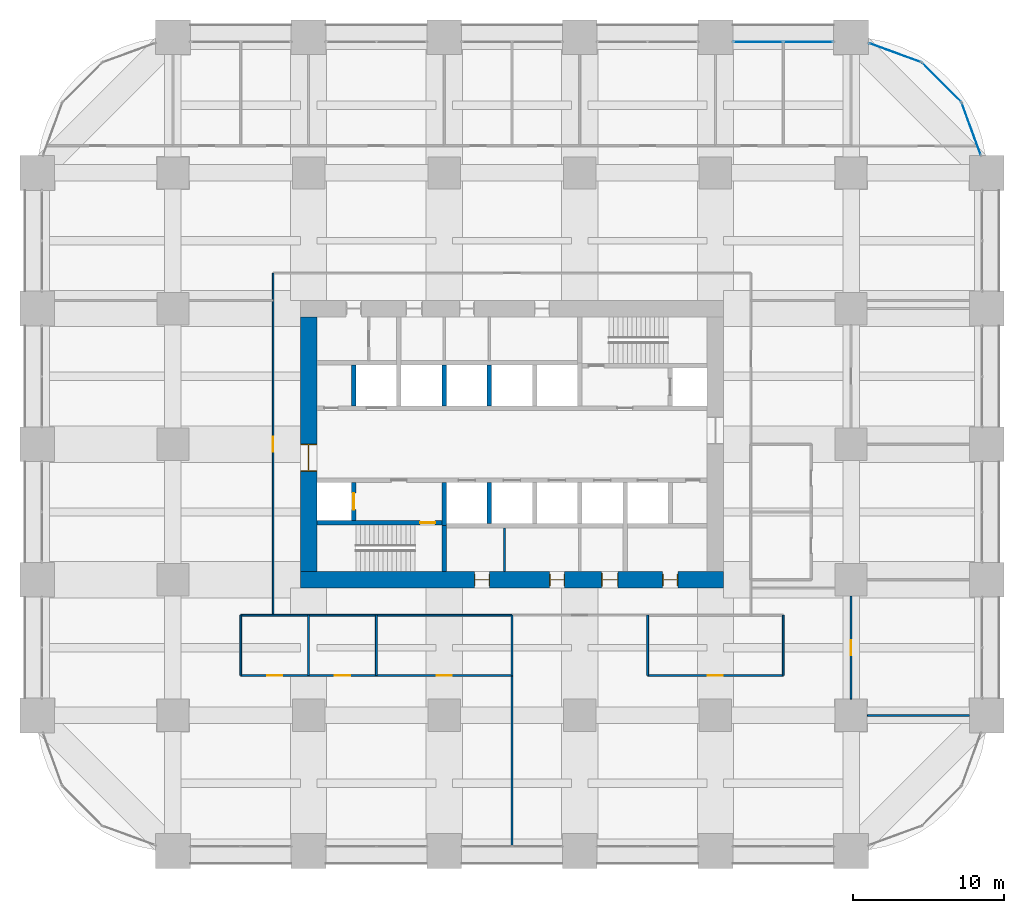
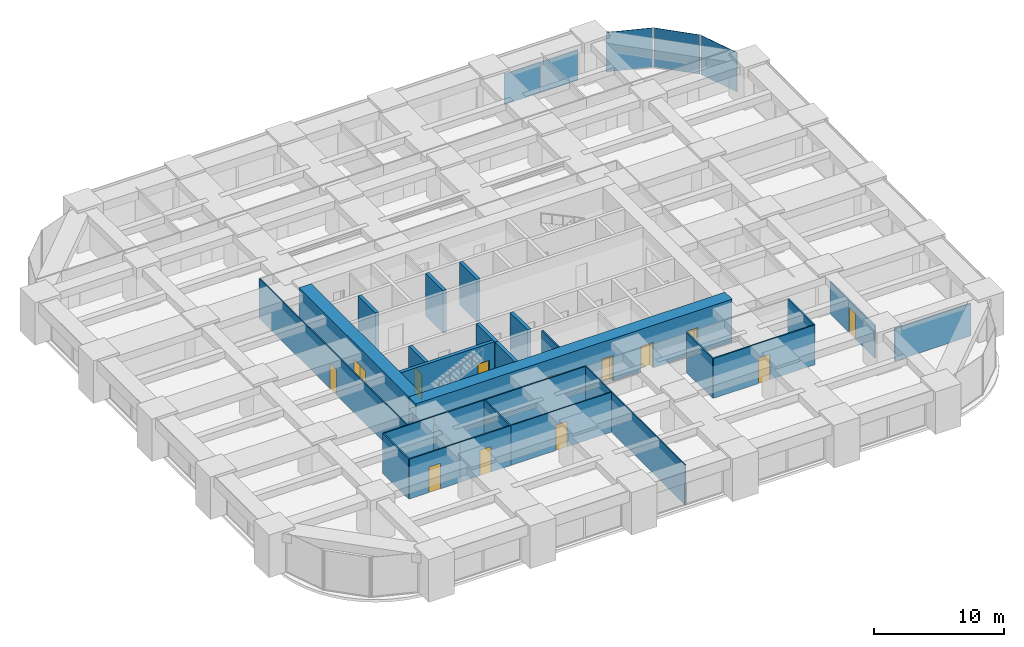
# One storey, part 39 of 43: 28 walls, 13 doors, 5 plates, 13 openings, 4 elements without a shape of their own.
"""IFC4 building model written with IfcOpenShell, lengths in metres."""

from ifc_helpers import new_model, si_unit, direction, frame, frame_2d, origin, origin_2d, place, context, subcontext, project, spatial, rectangle, extrude, material, layer, layer_set, type_object, element, fill, aggregate, save


model = new_model("IFC4")

# Units and contexts
model_context = context("Model", 3, precision=1e-05, world=origin(), true_north=direction((0.0, 1.0)))
body_context = subcontext(model_context, "Body", "Model", "MODEL_VIEW")
ifc_project = project(units=[si_unit("LENGTHUNIT", "METRE"), si_unit("AREAUNIT", "SQUARE_METRE"), si_unit("VOLUMEUNIT", "CUBIC_METRE"), si_unit("PLANEANGLEUNIT", "RADIAN"), si_unit("MASSUNIT", "GRAM", prefix="KILO")], contexts=[model_context])

# Site, building, storey
site_placement = place(None, origin())
site = spatial("IfcSite", under=ifc_project, at=site_placement, CompositionType="ELEMENT")
building_placement = place(site_placement, origin())
building = spatial("IfcBuilding", under=site, at=building_placement, Name="Zorevar Civic Tower", CompositionType="ELEMENT")
storey_placement = place(building_placement, frame((0.0, 0.0, 67.800048828125)))
storey = spatial("IfcBuildingStorey", under=building, at=storey_placement, Name="L16", CompositionType="ELEMENT", Elevation=67.800048828125)

# Curtain wall, plates
ifc_material_1 = material(Name="Dark grey solar-control glass in black aluminium frame", Category="aluminium")
curtain_wall_type = type_object("IfcCurtainWallType", Name="Curtain wall CW2 low zone", PredefinedType="NOTDEFINED", material=ifc_material_1)
curtain_wall_1_placement = place(storey_placement, origin())
curtain_wall_1 = element("IfcCurtainWall", 1, at=curtain_wall_1_placement, inside=storey, type_object=curtain_wall_type, Name="CW2 L16", PredefinedType="NOTDEFINED")
ifc_material_2 = material(Name="Dark grey solar-control glass", Category="glass")
ifc_layer_1 = layer(ifc_material_2, 0.031982421875)
ifc_layer_set_1 = layer_set([ifc_layer_1], Name="CW2 panel 32")
plate_type = type_object("IfcPlateType", Name="CW2 panel 32", PredefinedType="CURTAIN_PANEL", material=ifc_layer_set_1)
plate_1_placement = place(storey_placement, frame((47.840087890625, 53.699951171875, 0.06005859375), z_axis=(0.0, 0.0, 1.0), x_axis=(1.0, 0.0, 0.0)))
plate_1 = element("IfcPlate", 2, at=plate_1_placement, type_object=plate_type, Name="CW2 panel 1.1", PredefinedType="CURTAIN_PANEL", context=body_context, shape_type="SweptSolid", body=[
    extrude(rectangle(XDim=3.260009765625, YDim=0.031982421875, at=origin_2d()), origin(), (0.0, 0.0, 1.0), 2.889892578125),
])
plate_2_placement = place(storey_placement, frame((51.159912109375, 53.699951171875, 0.06005859375), z_axis=(0.0, 0.0, 1.0), x_axis=(1.0, 0.0, 0.0)))
plate_2 = element("IfcPlate", 3, at=plate_2_placement, type_object=plate_type, Name="CW2 panel 2.1", PredefinedType="CURTAIN_PANEL", context=body_context, shape_type="SweptSolid", body=[
    extrude(rectangle(XDim=3.260009765625, YDim=0.031982421875, at=origin_2d()), origin(), (0.0, 0.0, 1.0), 2.889892578125),
])
aggregate(curtain_wall_1, [plate_1, plate_2])

# Curtain wall, plate
curtain_wall_2_placement = place(storey_placement, origin())
curtain_wall_2 = element("IfcCurtainWall", 4, at=curtain_wall_2_placement, inside=storey, type_object=curtain_wall_type, Name="CW2 L16", PredefinedType="NOTDEFINED")
plate_3_placement = place(storey_placement, frame((61.979248046875, 47.914306640625, 0.06005859375), z_axis=(0.0, 0.0, 1.0), x_axis=(-0.343060400701, 0.939313345732, 0.0)))
plate_3 = element("IfcPlate", 5, at=plate_3_placement, type_object=plate_type, Name="CW2 panel 1.1", PredefinedType="CURTAIN_PANEL", context=body_context, shape_type="SweptSolid", body=[
    extrude(rectangle(XDim=3.636474609375, YDim=0.031982421875, at=origin_2d()), origin(), (0.0, 0.0, 1.0), 3.68994140625),
])
aggregate(curtain_wall_2, [plate_3])

curtain_wall_3_placement = place(storey_placement, origin())
curtain_wall_3 = element("IfcCurtainWall", 6, at=curtain_wall_3_placement, inside=storey, type_object=curtain_wall_type, Name="CW2 L16", PredefinedType="NOTDEFINED")
plate_4_placement = place(storey_placement, frame((60.0068359375, 51.0068359375, 0.06005859375), z_axis=(0.0, 0.0, 1.0), x_axis=(-0.707106781187, 0.707106781187, 0.0)))
plate_4 = element("IfcPlate", 7, at=plate_4_placement, type_object=plate_type, Name="CW2 panel 1.1", PredefinedType="CURTAIN_PANEL", context=body_context, shape_type="SweptSolid", body=[
    extrude(rectangle(XDim=3.636474609375, YDim=0.031982421875, at=origin_2d()), origin(), (0.0, 0.0, 1.0), 3.68994140625),
])
aggregate(curtain_wall_3, [plate_4])

curtain_wall_4_placement = place(storey_placement, origin())
curtain_wall_4 = element("IfcCurtainWall", 8, at=curtain_wall_4_placement, inside=storey, type_object=curtain_wall_type, Name="CW2 L16", PredefinedType="NOTDEFINED")
plate_5_placement = place(storey_placement, frame((56.914306640625, 52.979248046875, 0.06005859375), z_axis=(0.0, 0.0, 1.0), x_axis=(-0.939313345732, 0.343060400701, 0.0)))
plate_5 = element("IfcPlate", 9, at=plate_5_placement, type_object=plate_type, Name="CW2 panel 1.1", PredefinedType="CURTAIN_PANEL", context=body_context, shape_type="SweptSolid", body=[
    extrude(rectangle(XDim=3.636474609375, YDim=0.031982421875, at=origin_2d()), origin(), (0.0, 0.0, 1.0), 3.68994140625),
])
aggregate(curtain_wall_4, [plate_5])

# Wall, openings, doors
ifc_material_3 = material(Name="Concrete C50/60", Category="concrete")
ifc_layer_2 = layer(ifc_material_3, 1.10009765625)
ifc_layer_set_2 = layer_set([ifc_layer_2], Name="Core wall 1100")
wall_type_1 = type_object("IfcWallType", Name="Core wall 1100", PredefinedType="SHEAR", material=ifc_layer_set_2)
wall_1_placement = place(storey_placement, frame((17.449951171875, 18.0, 0.0), z_axis=(0.0, 0.0, 1.0), x_axis=(1.0, 0.0, 0.0)))
wall_1 = element("IfcWall", 10, at=wall_1_placement, inside=storey, type_object=wall_type_1, Name="Core wall S L16", PredefinedType="SHEAR", context=body_context, shape_type="SweptSolid", body=[
    extrude(rectangle(XDim=28.10009765625, YDim=1.10009765625, at=frame_2d((14.050048828125, 0.0))), origin(), (0.0, 0.0, 1.0), 4.0),
])
opening_1_placement = place(wall_1_placement, frame((11.550048828125, 0.0, 0.0)))
opening_1 = element("IfcOpeningElement", 11, at=opening_1_placement, cuts=wall_1, Name="Opening L16.03", PredefinedType="OPENING", context=body_context, shape_type="SweptSolid", body=[
    extrude(rectangle(XDim=1.0, YDim=2.39990234375, at=frame_2d((0.5, 1.199951171875))), frame((0.0, 0.56005859375, 0.0), z_axis=(0.0, -1.0, 0.0), x_axis=(1.0, 0.0, 0.0)), (0.0, 0.0, 1.0), 1.1201171875),
])
opening_2_placement = place(wall_1_placement, frame((16.550048828125, 0.0, 0.0)))
opening_2 = element("IfcOpeningElement", 12, at=opening_2_placement, cuts=wall_1, Name="Opening L16.04", PredefinedType="OPENING", context=body_context, shape_type="SweptSolid", body=[
    extrude(rectangle(XDim=1.0, YDim=2.39990234375, at=frame_2d((0.5, 1.199951171875))), frame((0.0, 0.56005859375, 0.0), z_axis=(0.0, -1.0, 0.0), x_axis=(1.0, 0.0, 0.0)), (0.0, 0.0, 1.0), 1.1201171875),
])
opening_3_placement = place(wall_1_placement, frame((20.0, 0.0, 0.0)))
opening_3 = element("IfcOpeningElement", 13, at=opening_3_placement, cuts=wall_1, Name="Opening L16.05", PredefinedType="OPENING", context=body_context, shape_type="SweptSolid", body=[
    extrude(rectangle(XDim=1.10009765625, YDim=2.39990234375, at=frame_2d((0.550048828125, 1.199951171875))), frame((0.0, 0.56005859375, 0.0), z_axis=(0.0, -1.0, 0.0), x_axis=(1.0, 0.0, 0.0)), (0.0, 0.0, 1.0), 1.1201171875),
])
opening_4_placement = place(wall_1_placement, frame((24.050048828125, 0.0, 0.0)))
opening_4 = element("IfcOpeningElement", 14, at=opening_4_placement, cuts=wall_1, Name="Opening L16.06", PredefinedType="OPENING", context=body_context, shape_type="SweptSolid", body=[
    extrude(rectangle(XDim=1.0, YDim=2.39990234375, at=frame_2d((0.5, 1.199951171875))), frame((0.0, 0.56005859375, 0.0), z_axis=(0.0, -1.0, 0.0), x_axis=(1.0, 0.0, 0.0)), (0.0, 0.0, 1.0), 1.1201171875),
])
ifc_material_4 = material(Name="Timber door set", Category="wood")
door_type_1 = type_object("IfcDoorType", Name="Door D1 1000x2400", OperationType="SINGLE_SWING_LEFT", PredefinedType="DOOR", material=ifc_material_4)
door_1_placement = place(opening_1_placement, origin())
door_1 = element("IfcDoor", 15, at=door_1_placement, inside=storey, type_object=door_type_1, Name="Door L16 02", OperationType="SINGLE_SWING_RIGHT", OverallHeight=2.39990234375, OverallWidth=1.0, PredefinedType="DOOR", context=body_context, shape_type="SweptSolid", body=[
    extrude(rectangle(XDim=1.0, YDim=2.39990234375, at=frame_2d((0.5, 1.199951171875))), frame((0.0, 0.02490234375, 0.0), z_axis=(0.0, -1.0, 0.0), x_axis=(1.0, 0.0, 0.0)), (0.0, 0.0, 1.0), 0.050048828125),
    extrude(rectangle(XDim=0.04, YDim=2.39990234375, at=frame_2d((0.02001953125, 1.199951171875))), frame((0.0, 0.39990234375, 0.0), z_axis=(0.0, -1.0, 0.0), x_axis=(1.0, 0.0, 0.0)), (0.0, 0.0, 1.0), 0.800048828125),
    extrude(rectangle(XDim=0.04, YDim=2.39990234375, at=frame_2d((0.97998046875, 1.199951171875))), frame((0.0, 0.39990234375, 0.0), z_axis=(0.0, -1.0, 0.0), x_axis=(1.0, 0.0, 0.0)), (0.0, 0.0, 1.0), 0.800048828125),
    extrude(rectangle(XDim=1.0, YDim=0.04, at=frame_2d((0.5, 2.3798828125))), frame((0.0, 0.39990234375, 0.0), z_axis=(0.0, -1.0, 0.0), x_axis=(1.0, 0.0, 0.0)), (0.0, 0.0, 1.0), 0.800048828125),
])
fill(opening_1, door_1)
door_2_placement = place(opening_2_placement, origin())
door_2 = element("IfcDoor", 16, at=door_2_placement, inside=storey, type_object=door_type_1, Name="Door L16 03", OperationType="SINGLE_SWING_LEFT", OverallHeight=2.39990234375, OverallWidth=1.0, PredefinedType="DOOR", context=body_context, shape_type="SweptSolid", body=[
    extrude(rectangle(XDim=1.0, YDim=2.39990234375, at=frame_2d((0.5, 1.199951171875))), frame((0.0, 0.02490234375, 0.0), z_axis=(0.0, -1.0, 0.0), x_axis=(1.0, 0.0, 0.0)), (0.0, 0.0, 1.0), 0.050048828125),
    extrude(rectangle(XDim=0.04, YDim=2.39990234375, at=frame_2d((0.02001953125, 1.199951171875))), frame((0.0, 0.39990234375, 0.0), z_axis=(0.0, -1.0, 0.0), x_axis=(1.0, 0.0, 0.0)), (0.0, 0.0, 1.0), 0.800048828125),
    extrude(rectangle(XDim=0.04, YDim=2.39990234375, at=frame_2d((0.97998046875, 1.199951171875))), frame((0.0, 0.39990234375, 0.0), z_axis=(0.0, -1.0, 0.0), x_axis=(1.0, 0.0, 0.0)), (0.0, 0.0, 1.0), 0.800048828125),
    extrude(rectangle(XDim=1.0, YDim=0.04, at=frame_2d((0.5, 2.3798828125))), frame((0.0, 0.39990234375, 0.0), z_axis=(0.0, -1.0, 0.0), x_axis=(1.0, 0.0, 0.0)), (0.0, 0.0, 1.0), 0.800048828125),
])
fill(opening_2, door_2)
door_3_placement = place(opening_4_placement, origin())
door_3 = element("IfcDoor", 17, at=door_3_placement, inside=storey, type_object=door_type_1, Name="Door L16 05", OperationType="SINGLE_SWING_LEFT", OverallHeight=2.39990234375, OverallWidth=1.0, PredefinedType="DOOR", context=body_context, shape_type="SweptSolid", body=[
    extrude(rectangle(XDim=1.0, YDim=2.39990234375, at=frame_2d((0.5, 1.199951171875))), frame((0.0, 0.02490234375, 0.0), z_axis=(0.0, -1.0, 0.0), x_axis=(1.0, 0.0, 0.0)), (0.0, 0.0, 1.0), 0.050048828125),
    extrude(rectangle(XDim=0.04, YDim=2.39990234375, at=frame_2d((0.02001953125, 1.199951171875))), frame((0.0, 0.39990234375, 0.0), z_axis=(0.0, -1.0, 0.0), x_axis=(1.0, 0.0, 0.0)), (0.0, 0.0, 1.0), 0.800048828125),
    extrude(rectangle(XDim=0.04, YDim=2.39990234375, at=frame_2d((0.97998046875, 1.199951171875))), frame((0.0, 0.39990234375, 0.0), z_axis=(0.0, -1.0, 0.0), x_axis=(1.0, 0.0, 0.0)), (0.0, 0.0, 1.0), 0.800048828125),
    extrude(rectangle(XDim=1.0, YDim=0.04, at=frame_2d((0.5, 2.3798828125))), frame((0.0, 0.39990234375, 0.0), z_axis=(0.0, -1.0, 0.0), x_axis=(1.0, 0.0, 0.0)), (0.0, 0.0, 1.0), 0.800048828125),
])
fill(opening_4, door_3)
ifc_material_5 = material(Name="Timber door set", Category="wood")
door_type_2 = type_object("IfcDoorType", Name="Door D5 1100x2400", OperationType="SINGLE_SWING_LEFT", PredefinedType="DOOR", material=ifc_material_5)
door_4_placement = place(opening_3_placement, origin())
door_4 = element("IfcDoor", 18, at=door_4_placement, inside=storey, type_object=door_type_2, Name="Door L16 04", OperationType="SINGLE_SWING_LEFT", OverallHeight=2.39990234375, OverallWidth=1.10009765625, PredefinedType="DOOR", context=body_context, shape_type="SweptSolid", body=[
    extrude(rectangle(XDim=1.10009765625, YDim=2.39990234375, at=frame_2d((0.550048828125, 1.199951171875))), frame((0.0, 0.02490234375, 0.0), z_axis=(0.0, -1.0, 0.0), x_axis=(1.0, 0.0, 0.0)), (0.0, 0.0, 1.0), 0.050048828125),
    extrude(rectangle(XDim=0.04, YDim=2.39990234375, at=frame_2d((0.02001953125, 1.199951171875))), frame((0.0, 0.43994140625, 0.0), z_axis=(0.0, -1.0, 0.0), x_axis=(1.0, 0.0, 0.0)), (0.0, 0.0, 1.0), 0.880126953125),
    extrude(rectangle(XDim=0.04, YDim=2.39990234375, at=frame_2d((1.080078125, 1.199951171875))), frame((0.0, 0.43994140625, 0.0), z_axis=(0.0, -1.0, 0.0), x_axis=(1.0, 0.0, 0.0)), (0.0, 0.0, 1.0), 0.880126953125),
    extrude(rectangle(XDim=1.10009765625, YDim=0.04, at=frame_2d((0.550048828125, 2.3798828125))), frame((0.0, 0.43994140625, 0.0), z_axis=(0.0, -1.0, 0.0), x_axis=(1.0, 0.0, 0.0)), (0.0, 0.0, 1.0), 0.880126953125),
])
fill(opening_3, door_4)

# Wall, opening, door
wall_2_placement = place(storey_placement, frame((18.0, 35.449951171875, 0.0), z_axis=(0.0, 0.0, 1.0), x_axis=(0.0, -1.0, 0.0)))
wall_2 = element("IfcWall", 19, at=wall_2_placement, inside=storey, type_object=wall_type_1, Name="Core wall W L16", PredefinedType="SHEAR", context=body_context, shape_type="SweptSolid", body=[
    extrude(rectangle(XDim=16.89990234375, YDim=1.10009765625, at=frame_2d((8.449951171875, 0.0))), origin(), (0.0, 0.0, 1.0), 4.0),
])
opening_5_placement = place(wall_2_placement, frame((8.449951171875, 0.0, 0.0)))
opening_5 = element("IfcOpeningElement", 20, at=opening_5_placement, cuts=wall_2, Name="Opening L16.01", PredefinedType="OPENING", context=body_context, shape_type="SweptSolid", body=[
    extrude(rectangle(XDim=1.800048828125, YDim=2.39990234375, at=frame_2d((0.89990234375, 1.199951171875))), frame((0.0, 0.56005859375, 0.0), z_axis=(0.0, -1.0, 0.0), x_axis=(1.0, 0.0, 0.0)), (0.0, 0.0, 1.0), 1.1201171875),
])
ifc_material_6 = material(Name="Steel door set", Category="steel")
door_type_3 = type_object("IfcDoorType", Name="Fire door FD2 1800x2400", OperationType="DOUBLE_DOOR_DOUBLE_SWING", PredefinedType="DOOR", material=ifc_material_6)
door_5_placement = place(opening_5_placement, origin())
door_5 = element("IfcDoor", 21, at=door_5_placement, inside=storey, type_object=door_type_3, Name="Door L16 00", OperationType="DOUBLE_DOOR_DOUBLE_SWING", OverallHeight=2.39990234375, OverallWidth=1.800048828125, PredefinedType="DOOR", context=body_context, shape_type="SweptSolid", body=[
    extrude(rectangle(XDim=1.800048828125, YDim=2.39990234375, at=frame_2d((0.89990234375, 1.199951171875))), frame((0.0, 0.030029296875, 0.0), z_axis=(0.0, -1.0, 0.0), x_axis=(1.0, 0.0, 0.0)), (0.0, 0.0, 1.0), 0.06005859375),
    extrude(rectangle(XDim=0.04, YDim=2.39990234375, at=frame_2d((0.02001953125, 1.199951171875))), frame((0.0, 0.5498046875, 0.0), z_axis=(0.0, -1.0, 0.0), x_axis=(1.0, 0.0, 0.0)), (0.0, 0.0, 1.0), 1.099609375),
    extrude(rectangle(XDim=0.04, YDim=2.39990234375, at=frame_2d((1.780029296875, 1.199951171875))), frame((0.0, 0.5498046875, 0.0), z_axis=(0.0, -1.0, 0.0), x_axis=(1.0, 0.0, 0.0)), (0.0, 0.0, 1.0), 1.099609375),
    extrude(rectangle(XDim=1.800048828125, YDim=0.04, at=frame_2d((0.89990234375, 2.3798828125))), frame((0.0, 0.5498046875, 0.0), z_axis=(0.0, -1.0, 0.0), x_axis=(1.0, 0.0, 0.0)), (0.0, 0.0, 1.0), 1.099609375),
])
fill(opening_5, door_5)

ifc_material_7 = material(Name="Laminated glass in black aluminium frame", Category="aluminium")
ifc_layer_3 = layer(ifc_material_7, 0.10009765625)
ifc_layer_set_3 = layer_set([ifc_layer_3], Name="Glazed partition 100")
wall_type_2 = type_object("IfcWallType", Name="Glazed partition 100", PredefinedType="PARTITIONING", material=ifc_layer_set_3)
wall_3_placement = place(storey_placement, frame((22.5, 11.64990234375, 0.0), z_axis=(0.0, 0.0, 1.0), x_axis=(1.0, 0.0, 0.0)))
wall_3 = element("IfcWall", 22, at=wall_3_placement, inside=storey, type_object=wall_type_2, Name="Glazed partition 100 L16", PredefinedType="PARTITIONING", context=body_context, shape_type="SweptSolid", body=[
    extrude(rectangle(XDim=9.0, YDim=0.10009765625, at=frame_2d((4.5, 0.0))), origin(), (0.0, 0.0, 1.0), 3.75),
])
opening_6_placement = place(wall_3_placement, frame((4.0, 0.0, 0.0)))
opening_6 = element("IfcOpeningElement", 23, at=opening_6_placement, cuts=wall_3, Name="Opening L16.20", PredefinedType="OPENING", context=body_context, shape_type="SweptSolid", body=[
    extrude(rectangle(XDim=1.0, YDim=2.39990234375, at=frame_2d((0.5, 1.199951171875))), frame((0.0, 0.06005859375, 0.0), z_axis=(0.0, -1.0, 0.0), x_axis=(1.0, 0.0, 0.0)), (0.0, 0.0, 1.0), 0.1201171875),
])
ifc_material_8 = material(Name="Timber door set", Category="wood")
door_type_4 = type_object("IfcDoorType", Name="Glazed door GD1 1000x2400", OperationType="SINGLE_SWING_LEFT", PredefinedType="DOOR", material=ifc_material_8)
door_6_placement = place(opening_6_placement, origin())
door_6 = element("IfcDoor", 24, at=door_6_placement, inside=storey, type_object=door_type_4, Name="Door L16 D1", OperationType="SINGLE_SWING_RIGHT", OverallHeight=2.39990234375, OverallWidth=1.0, PredefinedType="DOOR", context=body_context, shape_type="SweptSolid", body=[
    extrude(rectangle(XDim=1.0, YDim=2.39990234375, at=frame_2d((0.5, 1.199951171875))), frame((0.0, 0.02001953125, 0.0), z_axis=(0.0, -1.0, 0.0), x_axis=(1.0, 0.0, 0.0)), (0.0, 0.0, 1.0), 0.0400390625),
])
fill(opening_6, door_6)

wall_4_placement = place(storey_placement, frame((15.64990234375, 15.64990234375, 0.0), z_axis=(0.0, 0.0, 1.0), x_axis=(0.0, 1.0, 0.0)))
wall_4 = element("IfcWall", 25, at=wall_4_placement, inside=storey, type_object=wall_type_2, Name="Glazed partition 100 L16", PredefinedType="PARTITIONING", context=body_context, shape_type="SweptSolid", body=[
    extrude(rectangle(XDim=22.7001953125, YDim=0.10009765625, at=frame_2d((11.35009765625, 0.0))), origin(), (0.0, 0.0, 1.0), 3.75),
])
opening_7_placement = place(wall_4_placement, frame((10.85009765625, 0.0, 0.0)))
opening_7 = element("IfcOpeningElement", 26, at=opening_7_placement, cuts=wall_4, Name="Opening L16.33", PredefinedType="OPENING", context=body_context, shape_type="SweptSolid", body=[
    extrude(rectangle(XDim=1.0, YDim=2.39990234375, at=frame_2d((0.5, 1.199951171875))), frame((0.0, 0.06005859375, 0.0), z_axis=(0.0, -1.0, 0.0), x_axis=(1.0, 0.0, 0.0)), (0.0, 0.0, 1.0), 0.1201171875),
])
door_7_placement = place(opening_7_placement, origin())
door_7 = element("IfcDoor", 27, at=door_7_placement, inside=storey, type_object=door_type_4, Name="Door L16 D1", OperationType="SINGLE_SWING_LEFT", OverallHeight=2.39990234375, OverallWidth=1.0, PredefinedType="DOOR", context=body_context, shape_type="SweptSolid", body=[
    extrude(rectangle(XDim=1.0, YDim=2.39990234375, at=frame_2d((0.5, 1.199951171875))), frame((0.0, 0.02001953125, 0.0), z_axis=(0.0, -1.0, 0.0), x_axis=(1.0, 0.0, 0.0)), (0.0, 0.0, 1.0), 0.0400390625),
])
fill(opening_7, door_7)

# Wall
wall_5_placement = place(storey_placement, frame((31.5, 0.31005859375, 0.0), z_axis=(0.0, 0.0, 1.0), x_axis=(0.0, 1.0, 0.0)))
element("IfcWall", 28, at=wall_5_placement, inside=storey, type_object=wall_type_2, Name="Glazed partition 100 L16", PredefinedType="PARTITIONING", context=body_context, shape_type="SweptSolid", body=[
    extrude(rectangle(XDim=11.33984375, YDim=0.10009765625, at=frame_2d((5.669921875, 0.0))), origin(), (0.0, 0.0, 1.0), 3.75),
])

# Wall, opening, door
ifc_material_9 = material(Name="Concrete C40/50", Category="concrete")
ifc_layer_4 = layer(ifc_material_9, 0.300048828125)
ifc_layer_set_4 = layer_set([ifc_layer_4], Name="Inner core wall 300")
wall_type_3 = type_object("IfcWallType", Name="Inner core wall 300", PredefinedType="SHEAR", material=ifc_layer_set_4)
wall_6_placement = place(storey_placement, frame((18.550048828125, 21.800048828125, 0.0), z_axis=(0.0, 0.0, 1.0), x_axis=(1.0, 0.0, 0.0)))
wall_6 = element("IfcWall", 29, at=wall_6_placement, inside=storey, type_object=wall_type_3, Name="Inner core wall S00 L16", PredefinedType="SHEAR", context=body_context, shape_type="SweptSolid", body=[
    extrude(rectangle(XDim=8.300048828125, YDim=0.300048828125, at=frame_2d((4.14990234375, 0.0))), origin(), (0.0, 0.0, 1.0), 4.0),
])
opening_8_placement = place(wall_6_placement, frame((6.85009765625, 0.0, 0.0)))
opening_8 = element("IfcOpeningElement", 30, at=opening_8_placement, cuts=wall_6, Name="Opening L16.11", PredefinedType="OPENING", context=body_context, shape_type="SweptSolid", body=[
    extrude(rectangle(XDim=1.0, YDim=2.39990234375, at=frame_2d((0.5, 1.199951171875))), frame((0.0, 0.159912109375, 0.0), z_axis=(0.0, -1.0, 0.0), x_axis=(1.0, 0.0, 0.0)), (0.0, 0.0, 1.0), 0.320068359375),
])
ifc_material_10 = material(Name="Steel door set", Category="steel")
door_type_5 = type_object("IfcDoorType", Name="Fire door FD1 1000x2400", OperationType="SINGLE_SWING_LEFT", PredefinedType="DOOR", material=ifc_material_10)
door_8_placement = place(opening_8_placement, origin())
door_8 = element("IfcDoor", 31, at=door_8_placement, inside=storey, type_object=door_type_5, Name="Door L16 10", OperationType="SINGLE_SWING_RIGHT", OverallHeight=2.39990234375, OverallWidth=1.0, PredefinedType="DOOR", context=body_context, shape_type="SweptSolid", body=[
    extrude(rectangle(XDim=1.0, YDim=2.39990234375, at=frame_2d((0.5, 1.199951171875))), frame((0.0, 0.030029296875, 0.0), z_axis=(0.0, -1.0, 0.0), x_axis=(1.0, 0.0, 0.0)), (0.0, 0.0, 1.0), 0.06005859375),
])
fill(opening_8, door_8)

# Wall
wall_7_placement = place(storey_placement, frame((27.0, 18.550048828125, 0.0), z_axis=(0.0, 0.0, 1.0), x_axis=(0.0, 1.0, 0.0)))
element("IfcWall", 32, at=wall_7_placement, inside=storey, type_object=wall_type_3, Name="Inner core wall S01 L16", PredefinedType="SHEAR", context=body_context, shape_type="SweptSolid", body=[
    extrude(rectangle(XDim=3.050048828125, YDim=0.300048828125, at=frame_2d((1.52490234375, 0.0))), origin(), (0.0, 0.0, 1.0), 4.0),
])

# Wall, opening, door
wall_8_placement = place(storey_placement, frame((21.0, 21.949951171875, 0.0), z_axis=(0.0, 0.0, 1.0), x_axis=(0.0, 1.0, 0.0)))
wall_8 = element("IfcWall", 33, at=wall_8_placement, inside=storey, type_object=wall_type_3, Name="Inner core wall S02 L16", PredefinedType="SHEAR", context=body_context, shape_type="SweptSolid", body=[
    extrude(rectangle(XDim=2.5, YDim=0.300048828125, at=frame_2d((1.25, 0.0))), origin(), (0.0, 0.0, 1.0), 4.0),
])
opening_9_placement = place(wall_8_placement, frame((0.699951171875, 0.0, 0.0)))
opening_9 = element("IfcOpeningElement", 34, at=opening_9_placement, cuts=wall_8, Name="Opening L16.FL1", PredefinedType="OPENING", context=body_context, shape_type="SweptSolid", body=[
    extrude(rectangle(XDim=1.10009765625, YDim=2.39990234375, at=frame_2d((0.550048828125, 1.199951171875))), frame((0.0, 0.159912109375, 0.0), z_axis=(0.0, -1.0, 0.0), x_axis=(1.0, 0.0, 0.0)), (0.0, 0.0, 1.0), 0.320068359375),
])
ifc_material_11 = material(Name="Steel door set", Category="steel")
door_type_6 = type_object("IfcDoorType", Name="Firefighting lift landing door LD3 1100x2400", OperationType="DOUBLE_DOOR_SLIDING", PredefinedType="DOOR", material=ifc_material_11)
door_9_placement = place(opening_9_placement, origin())
door_9 = element("IfcDoor", 35, at=door_9_placement, inside=storey, type_object=door_type_6, Name="Landing door FL1 L16", OperationType="DOUBLE_DOOR_SLIDING", OverallHeight=2.39990234375, OverallWidth=1.10009765625, PredefinedType="DOOR", context=body_context, shape_type="SweptSolid", body=[
    extrude(rectangle(XDim=1.10009765625, YDim=2.39990234375, at=frame_2d((0.550048828125, 1.199951171875))), frame((0.0, 0.030029296875, 0.0), z_axis=(0.0, -1.0, 0.0), x_axis=(1.0, 0.0, 0.0)), (0.0, 0.0, 1.0), 0.06005859375),
])
fill(opening_9, door_9)

# Walls
for number, where, z_axis, x_axis, name in (
    (36, (30.0, 21.75, 0.0), (0.0, 0.0, 1.0), (0.0, 1.0, 0.0), "Inner core wall S05 L16"),
    (37, (30.0, 29.550048828125, 0.0), (0.0, 0.0, 1.0), (0.0, 1.0, 0.0), "Inner core wall N06 L16"),
    (38, (27.0, 29.550048828125, 0.0), (0.0, 0.0, 1.0), (0.0, 1.0, 0.0), "Inner core wall N07 L16"),
    (39, (21.0, 29.550048828125, 0.0), (0.0, 0.0, 1.0), (0.0, 1.0, 0.0), "Inner core wall N09 L16"),
):
    element("IfcWall", number, at=place(storey_placement, frame(where, z_axis=z_axis, x_axis=x_axis)), inside=storey, type_object=wall_type_3, Name=name, PredefinedType="SHEAR", context=body_context, shape_type="SweptSolid", body=[
        extrude(rectangle(XDim=2.699951171875, YDim=0.300048828125, at=frame_2d((1.35009765625, 0.0))), origin(), (0.0, 0.0, 1.0), 4.0),
    ])
wall_9_placement = place(storey_placement, frame((27.0, 21.60009765625, 0.0), z_axis=(0.0, 0.0, 1.0), x_axis=(0.0, 1.0, 0.0)))
element("IfcWall", 40, at=wall_9_placement, inside=storey, type_object=wall_type_3, Name="Inner core wall S10 L16", PredefinedType="SHEAR", context=body_context, shape_type="SweptSolid", body=[
    extrude(rectangle(XDim=2.849853515625, YDim=0.300048828125, at=frame_2d((1.4248046875, 0.0))), origin(), (0.0, 0.0, 1.0), 4.0),
])
ifc_material_12 = material(Name="Gypsum board on steel studs", Category="steel")
ifc_layer_5 = layer(ifc_material_12, 0.1201171875)
ifc_layer_set_5 = layer_set([ifc_layer_5], Name="Partition 120")
wall_type_4 = type_object("IfcWallType", Name="Partition 120", PredefinedType="PARTITIONING", material=ifc_layer_set_5)
wall_10_placement = place(storey_placement, frame((55.074951171875, 9.0, 0.0), z_axis=(0.0, 0.0, 1.0), x_axis=(1.0, 0.0, 0.0)))
element("IfcWall", 41, at=wall_10_placement, inside=storey, type_object=wall_type_4, Name="Partition 120 L16", PredefinedType="PARTITIONING", context=body_context, shape_type="SweptSolid", body=[
    extrude(rectangle(XDim=6.775146484375, YDim=0.1201171875, at=frame_2d((3.3876953125, 0.0))), origin(), (0.0, 0.0, 1.0), 3.050048828125),
])

# Wall, opening, door
wall_11_placement = place(storey_placement, frame((13.5, 11.64990234375, 0.0), z_axis=(0.0, 0.0, 1.0), x_axis=(1.0, 0.0, 0.0)))
wall_11 = element("IfcWall", 42, at=wall_11_placement, inside=storey, type_object=wall_type_4, Name="Partition 120 L16", PredefinedType="PARTITIONING", context=body_context, shape_type="SweptSolid", body=[
    extrude(rectangle(XDim=4.5, YDim=0.1201171875, at=frame_2d((2.25, 0.0))), origin(), (0.0, 0.0, 1.0), 3.75),
])
opening_10_placement = place(wall_11_placement, frame((1.75, 0.0, 0.0)))
opening_10 = element("IfcOpeningElement", 43, at=opening_10_placement, cuts=wall_11, Name="Opening L16.17", PredefinedType="OPENING", context=body_context, shape_type="SweptSolid", body=[
    extrude(rectangle(XDim=1.0, YDim=2.39990234375, at=frame_2d((0.5, 1.199951171875))), frame((0.0, 0.070068359375, 0.0), z_axis=(0.0, -1.0, 0.0), x_axis=(1.0, 0.0, 0.0)), (0.0, 0.0, 1.0), 0.14013671875),
])
door_10_placement = place(opening_10_placement, origin())
door_10 = element("IfcDoor", 44, at=door_10_placement, inside=storey, type_object=door_type_1, Name="Door L16 D1", OperationType="SINGLE_SWING_LEFT", OverallHeight=2.39990234375, OverallWidth=1.0, PredefinedType="DOOR", context=body_context, shape_type="SweptSolid", body=[
    extrude(rectangle(XDim=1.0, YDim=2.39990234375, at=frame_2d((0.5, 1.199951171875))), frame((0.0, 0.02490234375, 0.0), z_axis=(0.0, -1.0, 0.0), x_axis=(1.0, 0.0, 0.0)), (0.0, 0.0, 1.0), 0.050048828125),
])
fill(opening_10, door_10)

wall_12_placement = place(storey_placement, frame((18.0, 11.64990234375, 0.0), z_axis=(0.0, 0.0, 1.0), x_axis=(1.0, 0.0, 0.0)))
wall_12 = element("IfcWall", 45, at=wall_12_placement, inside=storey, type_object=wall_type_4, Name="Partition 120 L16", PredefinedType="PARTITIONING", context=body_context, shape_type="SweptSolid", body=[
    extrude(rectangle(XDim=4.5, YDim=0.1201171875, at=frame_2d((2.25, 0.0))), origin(), (0.0, 0.0, 1.0), 3.75),
])
opening_11_placement = place(wall_12_placement, frame((1.75, 0.0, 0.0)))
opening_11 = element("IfcOpeningElement", 46, at=opening_11_placement, cuts=wall_12, Name="Opening L16.18", PredefinedType="OPENING", context=body_context, shape_type="SweptSolid", body=[
    extrude(rectangle(XDim=1.0, YDim=2.39990234375, at=frame_2d((0.5, 1.199951171875))), frame((0.0, 0.070068359375, 0.0), z_axis=(0.0, -1.0, 0.0), x_axis=(1.0, 0.0, 0.0)), (0.0, 0.0, 1.0), 0.14013671875),
])
door_11_placement = place(opening_11_placement, origin())
door_11 = element("IfcDoor", 47, at=door_11_placement, inside=storey, type_object=door_type_1, Name="Door L16 D1", OperationType="SINGLE_SWING_RIGHT", OverallHeight=2.39990234375, OverallWidth=1.0, PredefinedType="DOOR", context=body_context, shape_type="SweptSolid", body=[
    extrude(rectangle(XDim=1.0, YDim=2.39990234375, at=frame_2d((0.5, 1.199951171875))), frame((0.0, 0.02490234375, 0.0), z_axis=(0.0, -1.0, 0.0), x_axis=(1.0, 0.0, 0.0)), (0.0, 0.0, 1.0), 0.050048828125),
])
fill(opening_11, door_11)

wall_13_placement = place(storey_placement, frame((40.5, 11.64990234375, 0.0), z_axis=(0.0, 0.0, 1.0), x_axis=(1.0, 0.0, 0.0)))
wall_13 = element("IfcWall", 48, at=wall_13_placement, inside=storey, type_object=wall_type_4, Name="Partition 120 L16", PredefinedType="PARTITIONING", context=body_context, shape_type="SweptSolid", body=[
    extrude(rectangle(XDim=9.0, YDim=0.1201171875, at=frame_2d((4.5, 0.0))), origin(), (0.0, 0.0, 1.0), 3.75),
])
opening_12_placement = place(wall_13_placement, frame((4.0, 0.0, 0.0)))
opening_12 = element("IfcOpeningElement", 49, at=opening_12_placement, cuts=wall_13, Name="Opening L16.19", PredefinedType="OPENING", context=body_context, shape_type="SweptSolid", body=[
    extrude(rectangle(XDim=1.0, YDim=2.39990234375, at=frame_2d((0.5, 1.199951171875))), frame((0.0, 0.070068359375, 0.0), z_axis=(0.0, -1.0, 0.0), x_axis=(1.0, 0.0, 0.0)), (0.0, 0.0, 1.0), 0.14013671875),
])
door_12_placement = place(opening_12_placement, origin())
door_12 = element("IfcDoor", 50, at=door_12_placement, inside=storey, type_object=door_type_1, Name="Door L16 D1", OperationType="SINGLE_SWING_RIGHT", OverallHeight=2.39990234375, OverallWidth=1.0, PredefinedType="DOOR", context=body_context, shape_type="SweptSolid", body=[
    extrude(rectangle(XDim=1.0, YDim=2.39990234375, at=frame_2d((0.5, 1.199951171875))), frame((0.0, 0.02490234375, 0.0), z_axis=(0.0, -1.0, 0.0), x_axis=(1.0, 0.0, 0.0)), (0.0, 0.0, 1.0), 0.050048828125),
])
fill(opening_12, door_12)

# Walls
for number, where, z_axis, x_axis, name in (
    (51, (13.5, 15.64990234375, 0.0), (0.0, 0.0, 1.0), (1.0, 0.0, 0.0), "Partition 120 L16"),
    (52, (18.0, 15.64990234375, 0.0), (0.0, 0.0, 1.0), (1.0, 0.0, 0.0), "Partition 120 L16"),
):
    element("IfcWall", number, at=place(storey_placement, frame(where, z_axis=z_axis, x_axis=x_axis)), inside=storey, type_object=wall_type_4, Name=name, PredefinedType="PARTITIONING", context=body_context, shape_type="SweptSolid", body=[
        extrude(rectangle(XDim=4.5, YDim=0.1201171875, at=frame_2d((2.25, 0.0))), origin(), (0.0, 0.0, 1.0), 3.75),
    ])
wall_14_placement = place(storey_placement, frame((22.5, 15.64990234375, 0.0), z_axis=(0.0, 0.0, 1.0), x_axis=(1.0, 0.0, 0.0)))
element("IfcWall", 53, at=wall_14_placement, inside=storey, type_object=wall_type_4, Name="Partition 120 L16", PredefinedType="PARTITIONING", context=body_context, shape_type="SweptSolid", body=[
    extrude(rectangle(XDim=9.0, YDim=0.1201171875, at=frame_2d((4.5, 0.0))), origin(), (0.0, 0.0, 1.0), 3.75),
])
wall_15_placement = place(storey_placement, frame((13.5, 11.64990234375, 0.0), z_axis=(0.0, 0.0, 1.0), x_axis=(0.0, 1.0, 0.0)))
element("IfcWall", 54, at=wall_15_placement, inside=storey, type_object=wall_type_4, Name="Partition 120 L16", PredefinedType="PARTITIONING", context=body_context, shape_type="SweptSolid", body=[
    extrude(rectangle(XDim=4.0, YDim=0.1201171875, at=frame_2d((2.0, 0.0))), origin(), (0.0, 0.0, 1.0), 3.75),
])
wall_16_placement = place(storey_placement, frame((18.0, 11.64990234375, 0.0), z_axis=(0.0, 0.0, 1.0), x_axis=(0.0, 1.0, 0.0)))
element("IfcWall", 55, at=wall_16_placement, inside=storey, type_object=wall_type_4, Name="Partition 120 L16", PredefinedType="PARTITIONING", context=body_context, shape_type="SweptSolid", body=[
    extrude(rectangle(XDim=4.0, YDim=0.1201171875, at=frame_2d((2.0, 0.0))), origin(), (0.0, 0.0, 1.0), 3.050048828125),
])
for number, where, z_axis, x_axis, name in (
    (56, (22.5, 11.64990234375, 0.0), (0.0, 0.0, 1.0), (0.0, 1.0, 0.0), "Partition 120 L16"),
    (57, (31.5, 11.64990234375, 0.0), (0.0, 0.0, 1.0), (0.0, 1.0, 0.0), "Partition 120 L16"),
    (58, (40.5, 11.64990234375, 0.0), (0.0, 0.0, 1.0), (0.0, 1.0, 0.0), "Partition 120 L16"),
    (59, (49.5, 11.64990234375, 0.0), (0.0, 0.0, 1.0), (0.0, 1.0, 0.0), "Partition 120 L16"),
):
    element("IfcWall", number, at=place(storey_placement, frame(where, z_axis=z_axis, x_axis=x_axis)), inside=storey, type_object=wall_type_4, Name=name, PredefinedType="PARTITIONING", context=body_context, shape_type="SweptSolid", body=[
        extrude(rectangle(XDim=4.0, YDim=0.1201171875, at=frame_2d((2.0, 0.0))), origin(), (0.0, 0.0, 1.0), 3.75),
    ])

# Wall, opening, door
wall_17_placement = place(storey_placement, frame((54.0, 10.074951171875, 0.0), z_axis=(0.0, 0.0, 1.0), x_axis=(0.0, 1.0, 0.0)))
wall_17 = element("IfcWall", 60, at=wall_17_placement, inside=storey, type_object=wall_type_4, Name="Partition 120 L16", PredefinedType="PARTITIONING", context=body_context, shape_type="SweptSolid", body=[
    extrude(rectangle(XDim=6.85009765625, YDim=0.1201171875, at=frame_2d((3.425048828125, 0.0))), origin(), (0.0, 0.0, 1.0), 3.050048828125),
])
opening_13_placement = place(wall_17_placement, frame((2.925048828125, 0.0, 0.0)))
opening_13 = element("IfcOpeningElement", 61, at=opening_13_placement, cuts=wall_17, Name="Opening L16.37", PredefinedType="OPENING", context=body_context, shape_type="SweptSolid", body=[
    extrude(rectangle(XDim=1.0, YDim=2.39990234375, at=frame_2d((0.5, 1.199951171875))), frame((0.0, 0.070068359375, 0.0), z_axis=(0.0, -1.0, 0.0), x_axis=(1.0, 0.0, 0.0)), (0.0, 0.0, 1.0), 0.14013671875),
])
door_13_placement = place(opening_13_placement, origin())
door_13 = element("IfcDoor", 62, at=door_13_placement, inside=storey, type_object=door_type_1, Name="Door L16 D1", OperationType="SINGLE_SWING_RIGHT", OverallHeight=2.39990234375, OverallWidth=1.0, PredefinedType="DOOR", context=body_context, shape_type="SweptSolid", body=[
    extrude(rectangle(XDim=1.0, YDim=2.39990234375, at=frame_2d((0.5, 1.199951171875))), frame((0.0, 0.02490234375, 0.0), z_axis=(0.0, -1.0, 0.0), x_axis=(1.0, 0.0, 0.0)), (0.0, 0.0, 1.0), 0.050048828125),
])
fill(opening_13, door_13)

# Wall
ifc_material_13 = material(Name="Gypsum board on steel studs, moisture resistant", Category="steel")
ifc_layer_6 = layer(ifc_material_13, 0.14990234375)
ifc_layer_set_6 = layer_set([ifc_layer_6], Name="WC partition 150")
wall_type_5 = type_object("IfcWallType", Name="WC partition 150", PredefinedType="PARTITIONING", material=ifc_layer_set_6)
wall_18_placement = place(storey_placement, frame((31.0, 18.550048828125, 0.0), z_axis=(0.0, 0.0, 1.0), x_axis=(0.0, 1.0, 0.0)))
element("IfcWall", 63, at=wall_18_placement, inside=storey, type_object=wall_type_5, Name="WC partition L16", PredefinedType="PARTITIONING", context=body_context, shape_type="SweptSolid", body=[
    extrude(rectangle(XDim=2.89990234375, YDim=0.14990234375, at=frame_2d((1.449951171875, 0.0))), origin(), (0.0, 0.0, 1.0), 3.75),
])

save(model, "model.ifc")
